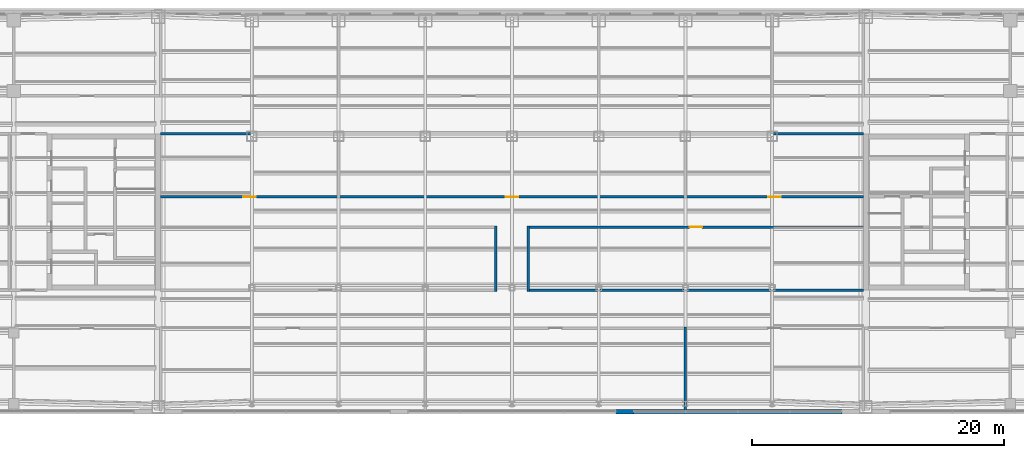
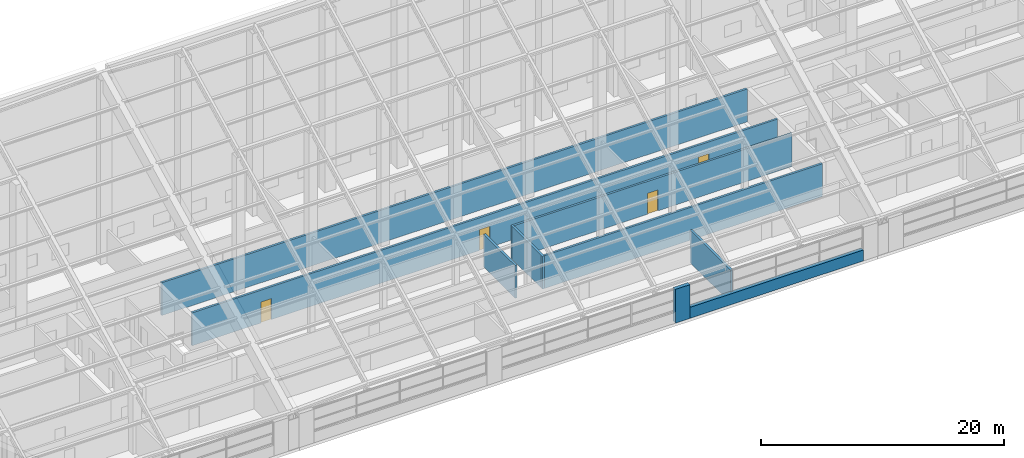
# One storey, part 23 of 28: 9 walls, 4 doors, 4 openings.
"""IFC4 building model written with IfcOpenShell, lengths in metres."""

from ifc_helpers import new_model, si_unit, direction, frame, frame_2d, origin, place, context, subcontext, project, spatial, rectangle, extrude, material, layer, layer_set, type_object, element, fill, save


model = new_model("IFC4")

# Units and contexts
model_context = context("Model", 3, precision=1e-05, world=origin(), true_north=direction((0.0, 1.0)))
body_context = subcontext(model_context, "Body", "Model", "MODEL_VIEW")
ifc_project = project(units=[si_unit("LENGTHUNIT", "METRE"), si_unit("AREAUNIT", "SQUARE_METRE"), si_unit("VOLUMEUNIT", "CUBIC_METRE"), si_unit("PLANEANGLEUNIT", "RADIAN"), si_unit("MASSUNIT", "GRAM", prefix="KILO")], contexts=[model_context])

# Site, building, storey
site_placement = place(None, origin())
site = spatial("IfcSite", under=ifc_project, at=site_placement, CompositionType="ELEMENT")
building_placement = place(site_placement, origin())
building = spatial("IfcBuilding", under=site, at=building_placement, Name="Tuart Gate Housing", CompositionType="ELEMENT")
storey_placement = place(building_placement, frame((0.0, 0.0, 243.89990234375)))
storey = spatial("IfcBuildingStorey", under=building, at=storey_placement, Name="L68", CompositionType="ELEMENT", Elevation=243.89990234375)

# Walls
ifc_material_1 = material(Name="Brick", Category="masonry")
ifc_layer_1 = layer(ifc_material_1, 0.360107421875)
ifc_layer_set_1 = layer_set([ifc_layer_1], Name="Brick pier and spandrel wall 360")
wall_type_1 = type_object("IfcWallType", Name="Brick pier and spandrel wall 360", PredefinedType="STANDARD", material=ifc_layer_set_1)
wall_1_placement = place(storey_placement, frame((111.75, 54.179931640625, 0.0), z_axis=(0.0, 0.0, 1.0), x_axis=(1.0, 0.0, 0.0)))
element("IfcWall", 1, at=wall_1_placement, inside=storey, type_object=wall_type_1, Name="Crown pier 3", PredefinedType="STANDARD", context=body_context, shape_type="SweptSolid", body=[
    extrude(rectangle(XDim=1.39990234375, YDim=0.360107421875, at=frame_2d((0.699951171875, 0.0))), origin(), (0.0, 0.0, 1.0), 3.39013671875),
])
wall_2_placement = place(storey_placement, frame((113.14990234375, 54.179931640625, 0.0), z_axis=(0.0, 0.0, 1.0), x_axis=(1.0, 0.0, 0.0)))
element("IfcWall", 2, at=wall_2_placement, inside=storey, type_object=wall_type_1, Name="Crown sill wall 3", PredefinedType="STANDARD", context=body_context, shape_type="SweptSolid", body=[
    extrude(rectangle(XDim=16.5, YDim=0.360107421875, at=frame_2d((8.25, 0.0))), origin(), (0.0, 0.0, 1.0), 1.10009765625),
])
ifc_material_2 = material(Name="Concrete masonry 15 MPa", Category="masonry")
ifc_layer_2 = layer(ifc_material_2, 0.199951171875)
ifc_layer_set_2 = layer_set([ifc_layer_2], Name="Enclosure wall masonry 200")
wall_type_2 = type_object("IfcWallType", Name="Enclosure wall masonry 200", PredefinedType="PARTITIONING", material=ifc_layer_set_2)
wall_3_placement = place(storey_placement, frame((104.699951171875, 63.800048828125, 0.0), z_axis=(0.0, 0.0, 1.0), x_axis=(1.0, 0.0, 0.0)))
element("IfcWall", 3, at=wall_3_placement, inside=storey, type_object=wall_type_2, Name="Enclosure wall masonry 200", PredefinedType="PARTITIONING", context=body_context, shape_type="SweptSolid", body=[
    extrude(rectangle(XDim=26.66015625, YDim=0.199951171875, at=frame_2d((13.330078125, 0.0))), origin(), (0.0, 0.0, 1.0), 3.300048828125),
])

# Wall, opening, door
wall_4_placement = place(storey_placement, frame((104.699951171875, 68.800048828125, 0.0), z_axis=(0.0, 0.0, 1.0), x_axis=(1.0, 0.0, 0.0)))
wall_4 = element("IfcWall", 4, at=wall_4_placement, inside=storey, type_object=wall_type_2, Name="Enclosure wall masonry 200", PredefinedType="PARTITIONING", context=body_context, shape_type="SweptSolid", body=[
    extrude(rectangle(XDim=26.66015625, YDim=0.199951171875, at=frame_2d((13.330078125, 0.0))), origin(), (0.0, 0.0, 1.0), 3.300048828125),
])
opening_1_placement = place(wall_4_placement, frame((12.8798828125, 0.0, 0.0)))
opening_1 = element("IfcOpeningElement", 5, at=opening_1_placement, cuts=wall_4, Name="Opening D3278", PredefinedType="OPENING", context=body_context, shape_type="SweptSolid", body=[
    extrude(rectangle(XDim=1.0, YDim=2.10009765625, at=frame_2d((0.5, 1.050048828125))), frame((0.0, 0.10986328125, 0.0), z_axis=(0.0, -1.0, 0.0), x_axis=(1.0, 0.0, 0.0)), (0.0, 0.0, 1.0), 0.219970703125),
])
ifc_material_3 = material(Name="Timber door leaf in steel frame", Category="steel")
door_type_1 = type_object("IfcDoorType", Name="Fire door 1000 RH", OperationType="SINGLE_SWING_RIGHT", PredefinedType="DOOR", material=ifc_material_3)
door_1_placement = place(opening_1_placement, frame((1.0, 0.0, 0.0), z_axis=(0.0, 0.0, 1.0), x_axis=(-1.0, 0.0, 0.0)))
door_1 = element("IfcDoor", 6, at=door_1_placement, inside=storey, type_object=door_type_1, Name="Fire door 1000", OperationType="SINGLE_SWING_RIGHT", OverallHeight=2.10009765625, OverallWidth=1.0, PredefinedType="DOOR", context=body_context, shape_type="SweptSolid", body=[
    extrude(rectangle(XDim=1.0, YDim=2.10009765625, at=frame_2d((0.5, 1.050048828125))), frame((0.0, 0.025146484375, 0.0), z_axis=(0.0, -1.0, 0.0), x_axis=(1.0, 0.0, 0.0)), (0.0, 0.0, 1.0), 0.050048828125),
])
fill(opening_1, door_1)

# Wall, openings, doors
wall_5_placement = place(storey_placement, frame((75.639892578125, 71.199951171875, 0.0), z_axis=(0.0, 0.0, 1.0), x_axis=(1.0, 0.0, 0.0)))
wall_5 = element("IfcWall", 7, at=wall_5_placement, inside=storey, type_object=wall_type_2, Name="Enclosure wall masonry 200", PredefinedType="PARTITIONING", context=body_context, shape_type="SweptSolid", body=[
    extrude(rectangle(XDim=55.72021484375, YDim=0.199951171875, at=frame_2d((27.860107421875, 0.0))), origin(), (0.0, 0.0, 1.0), 3.300048828125),
])
opening_2_placement = place(wall_5_placement, frame((6.554931640625, 0.0, 0.0)))
opening_2 = element("IfcOpeningElement", 8, at=opening_2_placement, cuts=wall_5, Name="Opening D3275", PredefinedType="OPENING", context=body_context, shape_type="SweptSolid", body=[
    extrude(rectangle(XDim=1.0, YDim=2.10009765625, at=frame_2d((0.5, 1.050048828125))), frame((0.0, 0.10986328125, 0.0), z_axis=(0.0, -1.0, 0.0), x_axis=(1.0, 0.0, 0.0)), (0.0, 0.0, 1.0), 0.219970703125),
])
opening_3_placement = place(wall_5_placement, frame((27.360107421875, 0.0, 0.0)))
opening_3 = element("IfcOpeningElement", 9, at=opening_3_placement, cuts=wall_5, Name="Opening D3276", PredefinedType="OPENING", context=body_context, shape_type="SweptSolid", body=[
    extrude(rectangle(XDim=1.0, YDim=2.10009765625, at=frame_2d((0.5, 1.050048828125))), frame((0.0, 0.10986328125, 0.0), z_axis=(0.0, -1.0, 0.0), x_axis=(1.0, 0.0, 0.0)), (0.0, 0.0, 1.0), 0.219970703125),
])
opening_4_placement = place(wall_5_placement, frame((48.1650390625, 0.0, 0.0)))
opening_4 = element("IfcOpeningElement", 10, at=opening_4_placement, cuts=wall_5, Name="Opening D3277", PredefinedType="OPENING", context=body_context, shape_type="SweptSolid", body=[
    extrude(rectangle(XDim=1.0, YDim=2.10009765625, at=frame_2d((0.5, 1.050048828125))), frame((0.0, 0.10986328125, 0.0), z_axis=(0.0, -1.0, 0.0), x_axis=(1.0, 0.0, 0.0)), (0.0, 0.0, 1.0), 0.219970703125),
])
ifc_material_4 = material(Name="Timber door leaf in steel frame", Category="steel")
door_type_2 = type_object("IfcDoorType", Name="Fire door 1000", OperationType="SINGLE_SWING_LEFT", PredefinedType="DOOR", material=ifc_material_4)
door_2_placement = place(opening_2_placement, origin())
door_2 = element("IfcDoor", 11, at=door_2_placement, inside=storey, type_object=door_type_2, Name="Fire door 1000", OperationType="SINGLE_SWING_LEFT", OverallHeight=2.10009765625, OverallWidth=1.0, PredefinedType="DOOR", context=body_context, shape_type="SweptSolid", body=[
    extrude(rectangle(XDim=1.0, YDim=2.10009765625, at=frame_2d((0.5, 1.050048828125))), frame((0.0, 0.02490234375, 0.0), z_axis=(0.0, -1.0, 0.0), x_axis=(1.0, 0.0, 0.0)), (0.0, 0.0, 1.0), 0.050048828125),
])
fill(opening_2, door_2)
door_3_placement = place(opening_3_placement, origin())
door_3 = element("IfcDoor", 12, at=door_3_placement, inside=storey, type_object=door_type_2, Name="Fire door 1000", OperationType="SINGLE_SWING_LEFT", OverallHeight=2.10009765625, OverallWidth=1.0, PredefinedType="DOOR", context=body_context, shape_type="SweptSolid", body=[
    extrude(rectangle(XDim=1.0, YDim=2.10009765625, at=frame_2d((0.5, 1.050048828125))), frame((0.0, 0.02490234375, 0.0), z_axis=(0.0, -1.0, 0.0), x_axis=(1.0, 0.0, 0.0)), (0.0, 0.0, 1.0), 0.050048828125),
])
fill(opening_3, door_3)
door_4_placement = place(opening_4_placement, origin())
door_4 = element("IfcDoor", 13, at=door_4_placement, inside=storey, type_object=door_type_2, Name="Fire door 1000", OperationType="SINGLE_SWING_LEFT", OverallHeight=2.10009765625, OverallWidth=1.0, PredefinedType="DOOR", context=body_context, shape_type="SweptSolid", body=[
    extrude(rectangle(XDim=1.0, YDim=2.10009765625, at=frame_2d((0.5, 1.050048828125))), frame((0.0, 0.02490234375, 0.0), z_axis=(0.0, -1.0, 0.0), x_axis=(1.0, 0.0, 0.0)), (0.0, 0.0, 1.0), 0.050048828125),
])
fill(opening_4, door_4)

# Walls
wall_6_placement = place(storey_placement, frame((75.639892578125, 76.199951171875, 0.0), z_axis=(0.0, 0.0, 1.0), x_axis=(1.0, 0.0, 0.0)))
element("IfcWall", 14, at=wall_6_placement, inside=storey, type_object=wall_type_2, Name="Enclosure wall masonry 200", PredefinedType="PARTITIONING", context=body_context, shape_type="SweptSolid", body=[
    extrude(rectangle(XDim=55.72021484375, YDim=0.199951171875, at=frame_2d((27.860107421875, 0.0))), origin(), (0.0, 0.0, 1.0), 3.300048828125),
])
for number, where, z_axis, x_axis, name in (
    (15, (102.199951171875, 63.699951171875, 0.0), (0.0, 0.0, 1.0), (0.0, 1.0, 0.0), "Enclosure wall masonry 200"),
    (16, (104.800048828125, 63.699951171875, 0.0), (0.0, 0.0, 1.0), (0.0, 1.0, 0.0), "Enclosure wall masonry 200"),
):
    element("IfcWall", number, at=place(storey_placement, frame(where, z_axis=z_axis, x_axis=x_axis)), inside=storey, type_object=wall_type_2, Name=name, PredefinedType="PARTITIONING", context=body_context, shape_type="SweptSolid", body=[
        extrude(rectangle(XDim=5.199951171875, YDim=0.199951171875, at=frame_2d((2.60009765625, 0.0))), origin(), (0.0, 0.0, 1.0), 3.300048828125),
    ])
wall_7_placement = place(storey_placement, frame((117.25, 54.239990234375, 0.0), z_axis=(0.0, 0.0, 1.0), x_axis=(0.0, 1.0, 0.0)))
element("IfcWall", 17, at=wall_7_placement, inside=storey, type_object=wall_type_2, Name="Enclosure wall masonry 200", PredefinedType="PARTITIONING", context=body_context, shape_type="SweptSolid", body=[
    extrude(rectangle(XDim=6.659912109375, YDim=0.199951171875, at=frame_2d((3.330078125, 0.0))), origin(), (0.0, 0.0, 1.0), 3.300048828125),
])

save(model, "model.ifc")
